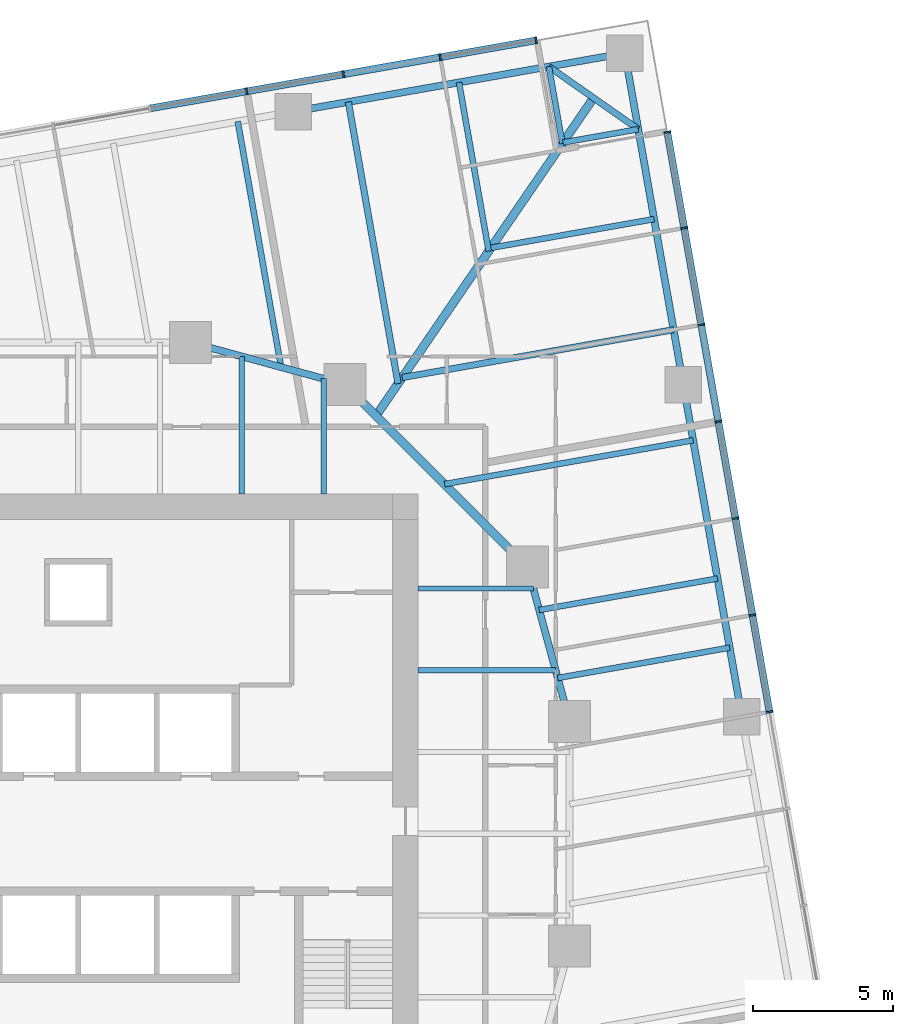
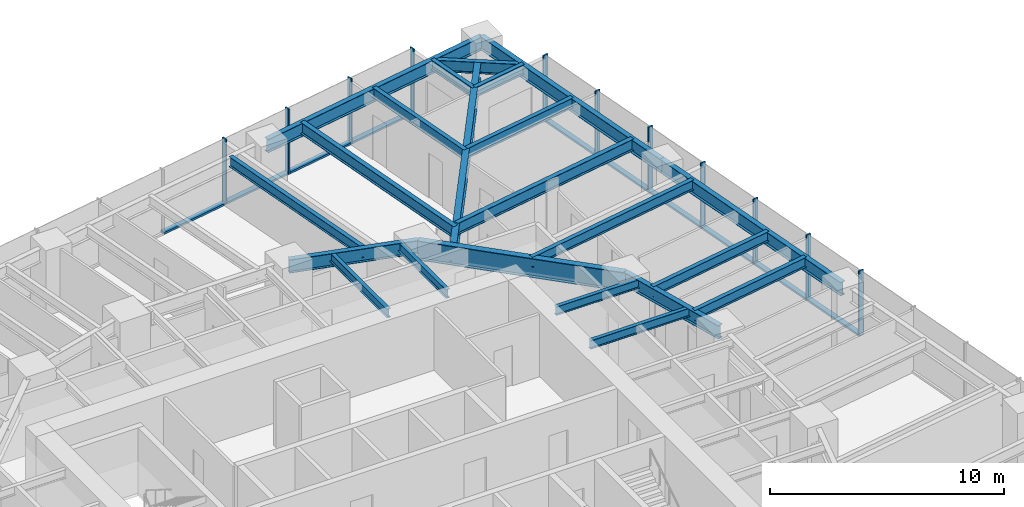
# One storey, part 6 of 14: 22 beams, 21 members, 2 elements without a shape of their own.
"""IFC4 building model written with IfcOpenShell, lengths in metres."""

from ifc_helpers import new_model, si_unit, direction, frame, origin, origin_2d, place, context, subcontext, project, spatial, rectangle, i_section, extrude, material, material_profile, profile_set, type_object, element, aggregate, save


model = new_model("IFC4")

# Units and contexts
model_context = context("Model", 3, precision=1e-05, world=origin(), true_north=direction((0.0, 1.0)))
body_context = subcontext(model_context, "Body", "Model", "MODEL_VIEW")
ifc_project = project(units=[si_unit("LENGTHUNIT", "METRE"), si_unit("AREAUNIT", "SQUARE_METRE"), si_unit("VOLUMEUNIT", "CUBIC_METRE"), si_unit("PLANEANGLEUNIT", "RADIAN"), si_unit("MASSUNIT", "GRAM", prefix="KILO")], contexts=[model_context])

# Site, building, storey
site_placement = place(None, origin())
site = spatial("IfcSite", under=ifc_project, at=site_placement, CompositionType="ELEMENT")
building_placement = place(site_placement, origin())
building = spatial("IfcBuilding", under=site, at=building_placement, Name="Torsade Residences", CompositionType="ELEMENT")
storey_placement = place(building_placement, frame((0.0, 0.0, 86.199951171875)))
storey = spatial("IfcBuildingStorey", under=building, at=storey_placement, Name="L23", CompositionType="ELEMENT", Elevation=86.199951171875)

# Beams
ifc_material_1 = material(Name="Steel grade 300", Category="steel")
ifc_material_profile_1 = material_profile(ifc_material_1, i_section(OverallWidth=0.300048828125, OverallDepth=0.89990234375, WebThickness=0.011962890625, FlangeThickness=0.02490234375, at=origin_2d()), Name="900WB175")
ifc_profile_set_1 = profile_set([ifc_material_profile_1], Name="Steel grade 300")
beam_type_1 = type_object("IfcBeamType", Name="CORNER GIRDER 900WB175", PredefinedType="BEAM", material=ifc_profile_set_1)
beam_1_placement = place(storey_placement, frame((58.3525390625, 56.2099609375, 2.800048828125), z_axis=(-0.564724759437, -0.825279313977, 0.0), x_axis=(0.825279313977, -0.564724759437, 0.0)))
element("IfcBeam", 1, at=beam_1_placement, inside=storey, type_object=beam_type_1, Name="Corner girder 09 L24", PredefinedType="BEAM", context=body_context, shape_type="SweptSolid", body=[
    extrude(i_section(OverallWidth=0.300048828125, OverallDepth=0.89990234375, WebThickness=0.011962890625, FlangeThickness=0.02490234375, at=origin_2d()), origin(), (0.0, 0.0, 1.0), 13.7138671875),
])
ifc_material_2 = material(Name="Steel grade 300", Category="steel")
ifc_material_profile_2 = material_profile(ifc_material_2, i_section(OverallWidth=0.22802734375, OverallDepth=0.60205078125, WebThickness=0.010498046875, FlangeThickness=0.014892578125, FilletRadius=0.013916015625, at=origin_2d()), Name="610UB101")
ifc_profile_set_2 = profile_set([ifc_material_profile_2], Name="Steel grade 300")
beam_type_2 = type_object("IfcBeamType", Name="CORNER TRIMMER 610UB101", PredefinedType="BEAM", material=ifc_profile_set_2)
beam_2_placement = place(storey_placement, frame((56.759521484375, 57.325439453125, 2.948974609375), z_axis=(0.819152285145, -0.573576092373, 0.0), x_axis=(0.573576092373, 0.819152285145, 0.0)))
element("IfcBeam", 2, at=beam_2_placement, inside=storey, type_object=beam_type_2, Name="Corner trimmer 09 L24", PredefinedType="BEAM", context=body_context, shape_type="SweptSolid", body=[
    extrude(i_section(OverallWidth=0.22802734375, OverallDepth=0.60205078125, WebThickness=0.010498046875, FlangeThickness=0.014892578125, FilletRadius=0.013916015625, at=origin_2d()), origin(), (0.0, 0.0, 1.0), 3.88916015625),
])

# Curtain wall, members
ifc_material_3 = material(Name="Aluminium and glass", Category="aluminium")
curtain_wall_type = type_object("IfcCurtainWallType", Name="FRITTED GLASS CURTAIN WALL LOW ZONE", PredefinedType="NOTDEFINED", material=ifc_material_3)
curtain_wall_1_placement = place(storey_placement, origin())
curtain_wall_1 = element("IfcCurtainWall", 3, at=curtain_wall_1_placement, inside=storey, type_object=curtain_wall_type, Name="Curtain wall L23 face 4", PredefinedType="NOTDEFINED")
ifc_material_4 = material(Name="Aluminium mullion", Category="aluminium")
ifc_material_profile_3 = material_profile(ifc_material_4, rectangle(XDim=0.25, YDim=0.06494140625, at=origin_2d()), Name="CURTAIN WALL MULLION 250x65")
ifc_profile_set_3 = profile_set([ifc_material_profile_3], Name="Aluminium mullion")
member_type_1 = type_object("IfcMemberType", Name="CURTAIN WALL MULLION 250x65", PredefinedType="MULLION", material=ifc_profile_set_3)
member_1_placement = place(storey_placement, frame((64.6201171875, 34.34130859375, 0.0), z_axis=(0.0, 0.0, 1.0), x_axis=(-0.984807750372, -0.173648192638, 0.0)))
member_1 = element("IfcMember", 4, at=member_1_placement, type_object=member_type_1, Name="Mullion 7", PredefinedType="MULLION", context=body_context, shape_type="SweptSolid", body=[
    extrude(rectangle(XDim=0.25, YDim=0.06494140625, at=origin_2d()), origin(), (0.0, 0.0, 1.0), 3.400146484375),
])
member_2_placement = place(storey_placement, frame((64.012451171875, 37.7880859375, 0.0), z_axis=(0.0, 0.0, 1.0), x_axis=(-0.984807750372, -0.173648192638, 0.0)))
member_2 = element("IfcMember", 5, at=member_2_placement, type_object=member_type_1, Name="Mullion 8", PredefinedType="MULLION", context=body_context, shape_type="SweptSolid", body=[
    extrude(rectangle(XDim=0.25, YDim=0.06494140625, at=origin_2d()), origin(), (0.0, 0.0, 1.0), 3.400146484375),
])
member_3_placement = place(storey_placement, frame((63.404541015625, 41.23486328125, 0.0), z_axis=(0.0, 0.0, 1.0), x_axis=(-0.984807750372, -0.173648192638, 0.0)))
member_3 = element("IfcMember", 6, at=member_3_placement, type_object=member_type_1, Name="Mullion 9", PredefinedType="MULLION", context=body_context, shape_type="SweptSolid", body=[
    extrude(rectangle(XDim=0.25, YDim=0.06494140625, at=origin_2d()), origin(), (0.0, 0.0, 1.0), 3.400146484375),
])
member_4_placement = place(storey_placement, frame((62.796875, 44.681640625, 0.0), z_axis=(0.0, 0.0, 1.0), x_axis=(-0.984807750372, -0.173648192638, 0.0)))
member_4 = element("IfcMember", 7, at=member_4_placement, type_object=member_type_1, Name="Mullion 10", PredefinedType="MULLION", context=body_context, shape_type="SweptSolid", body=[
    extrude(rectangle(XDim=0.25, YDim=0.06494140625, at=origin_2d()), origin(), (0.0, 0.0, 1.0), 3.400146484375),
])
member_5_placement = place(storey_placement, frame((62.189208984375, 48.12841796875, 0.0), z_axis=(0.0, 0.0, 1.0), x_axis=(-0.984807750372, -0.173648192638, 0.0)))
member_5 = element("IfcMember", 8, at=member_5_placement, type_object=member_type_1, Name="Mullion 11", PredefinedType="MULLION", context=body_context, shape_type="SweptSolid", body=[
    extrude(rectangle(XDim=0.25, YDim=0.06494140625, at=origin_2d()), origin(), (0.0, 0.0, 1.0), 3.400146484375),
])
member_6_placement = place(storey_placement, frame((61.581298828125, 51.575439453125, 0.0), z_axis=(0.0, 0.0, 1.0), x_axis=(-0.984807750372, -0.173648192638, 0.0)))
member_6 = element("IfcMember", 9, at=member_6_placement, type_object=member_type_1, Name="Mullion 12", PredefinedType="MULLION", context=body_context, shape_type="SweptSolid", body=[
    extrude(rectangle(XDim=0.25, YDim=0.06494140625, at=origin_2d()), origin(), (0.0, 0.0, 1.0), 3.400146484375),
])
member_7_placement = place(storey_placement, frame((60.979248046875, 54.990234375, 0.0), z_axis=(0.0, 0.0, 1.0), x_axis=(-0.984807750372, -0.173648192638, 0.0)))
member_7 = element("IfcMember", 10, at=member_7_placement, type_object=member_type_1, Name="Mullion 13", PredefinedType="MULLION", context=body_context, shape_type="SweptSolid", body=[
    extrude(rectangle(XDim=0.25, YDim=0.06494140625, at=origin_2d()), origin(), (0.0, 0.0, 1.0), 3.400146484375),
])

curtain_wall_2_placement = place(storey_placement, origin())
curtain_wall_2 = element("IfcCurtainWall", 11, at=curtain_wall_2_placement, inside=storey, type_object=curtain_wall_type, Name="Curtain wall L23 face 7", PredefinedType="NOTDEFINED")
member_8_placement = place(storey_placement, frame((56.307861328125, 58.26123046875, 0.0), z_axis=(0.0, 0.0, 1.0), x_axis=(0.173648192638, -0.984807750372, 0.0)))
member_8 = element("IfcMember", 12, at=member_8_placement, type_object=member_type_1, Name="Mullion 1", PredefinedType="MULLION", context=body_context, shape_type="SweptSolid", body=[
    extrude(rectangle(XDim=0.25, YDim=0.06494140625, at=origin_2d()), origin(), (0.0, 0.0, 1.0), 3.400146484375),
])
member_9_placement = place(storey_placement, frame((52.892822265625, 57.658935546875, 0.0), z_axis=(0.0, 0.0, 1.0), x_axis=(0.173648192638, -0.984807750372, 0.0)))
member_9 = element("IfcMember", 13, at=member_9_placement, type_object=member_type_1, Name="Mullion 2", PredefinedType="MULLION", context=body_context, shape_type="SweptSolid", body=[
    extrude(rectangle(XDim=0.25, YDim=0.06494140625, at=origin_2d()), origin(), (0.0, 0.0, 1.0), 3.400146484375),
])
member_10_placement = place(storey_placement, frame((49.446044921875, 57.05126953125, 0.0), z_axis=(0.0, 0.0, 1.0), x_axis=(0.173648192638, -0.984807750372, 0.0)))
member_10 = element("IfcMember", 14, at=member_10_placement, type_object=member_type_1, Name="Mullion 3", PredefinedType="MULLION", context=body_context, shape_type="SweptSolid", body=[
    extrude(rectangle(XDim=0.25, YDim=0.06494140625, at=origin_2d()), origin(), (0.0, 0.0, 1.0), 3.400146484375),
])
member_11_placement = place(storey_placement, frame((45.999267578125, 56.443603515625, 0.0), z_axis=(0.0, 0.0, 1.0), x_axis=(0.173648192638, -0.984807750372, 0.0)))
member_11 = element("IfcMember", 15, at=member_11_placement, type_object=member_type_1, Name="Mullion 4", PredefinedType="MULLION", context=body_context, shape_type="SweptSolid", body=[
    extrude(rectangle(XDim=0.25, YDim=0.06494140625, at=origin_2d()), origin(), (0.0, 0.0, 1.0), 3.400146484375),
])

# Member
ifc_material_5 = material(Name="Aluminium transom", Category="aluminium")
ifc_material_profile_4 = material_profile(ifc_material_5, rectangle(XDim=0.25, YDim=0.10009765625, at=origin_2d()), Name="CURTAIN WALL TRANSOM 250x100")
ifc_profile_set_4 = profile_set([ifc_material_profile_4], Name="Aluminium transom")
member_type_2 = type_object("IfcMemberType", Name="CURTAIN WALL TRANSOM 250x100", PredefinedType="USERDEFINED", material=ifc_profile_set_4)
member_12_placement = place(storey_placement, frame((64.614501953125, 34.373291015625, 0.050048828125), z_axis=(-0.17363531196, 0.984810021497, 0.0), x_axis=(-0.984810021497, -0.17363531196, 0.0)))
member_12 = element("IfcMember", 16, at=member_12_placement, type_object=member_type_2, Name="Transom 7.1", ObjectType="TRANSOM", PredefinedType="USERDEFINED", context=body_context, shape_type="SweptSolid", body=[
    extrude(rectangle(XDim=0.25, YDim=0.10009765625, at=origin_2d()), origin(), (0.0, 0.0, 1.0), 3.43505859375),
])

member_13_placement = place(storey_placement, frame((64.0068359375, 37.820068359375, 0.050048828125), z_axis=(-0.17363531196, 0.984810021497, 0.0), x_axis=(-0.984810021497, -0.17363531196, 0.0)))
member_13 = element("IfcMember", 17, at=member_13_placement, type_object=member_type_2, Name="Transom 8.1", ObjectType="TRANSOM", PredefinedType="USERDEFINED", context=body_context, shape_type="SweptSolid", body=[
    extrude(rectangle(XDim=0.25, YDim=0.10009765625, at=origin_2d()), origin(), (0.0, 0.0, 1.0), 3.43505859375),
])

member_14_placement = place(storey_placement, frame((63.39892578125, 41.266845703125, 0.050048828125), z_axis=(-0.17363531196, 0.984810021497, 0.0), x_axis=(-0.984810021497, -0.17363531196, 0.0)))
member_14 = element("IfcMember", 18, at=member_14_placement, type_object=member_type_2, Name="Transom 9.1", ObjectType="TRANSOM", PredefinedType="USERDEFINED", context=body_context, shape_type="SweptSolid", body=[
    extrude(rectangle(XDim=0.25, YDim=0.10009765625, at=origin_2d()), origin(), (0.0, 0.0, 1.0), 3.43505859375),
])

member_15_placement = place(storey_placement, frame((62.791259765625, 44.713623046875, 0.050048828125), z_axis=(-0.17363531196, 0.984810021497, 0.0), x_axis=(-0.984810021497, -0.17363531196, 0.0)))
member_15 = element("IfcMember", 19, at=member_15_placement, type_object=member_type_2, Name="Transom 10.1", ObjectType="TRANSOM", PredefinedType="USERDEFINED", context=body_context, shape_type="SweptSolid", body=[
    extrude(rectangle(XDim=0.25, YDim=0.10009765625, at=origin_2d()), origin(), (0.0, 0.0, 1.0), 3.43505859375),
])

member_16_placement = place(storey_placement, frame((62.18359375, 48.160400390625, 0.050048828125), z_axis=(-0.173704242465, 0.98479786563, 0.0), x_axis=(-0.98479786563, -0.173704242465, 0.0)))
member_16 = element("IfcMember", 20, at=member_16_placement, type_object=member_type_2, Name="Transom 11.1", ObjectType="TRANSOM", PredefinedType="USERDEFINED", context=body_context, shape_type="SweptSolid", body=[
    extrude(rectangle(XDim=0.25, YDim=0.10009765625, at=origin_2d()), origin(), (0.0, 0.0, 1.0), 3.43505859375),
])

member_17_placement = place(storey_placement, frame((61.57568359375, 51.607421875, 0.050048828125), z_axis=(-0.173642067011, 0.984808830466, 0.0), x_axis=(-0.984808830466, -0.173642067011, 0.0)))
member_17 = element("IfcMember", 21, at=member_17_placement, type_object=member_type_2, Name="Transom 12.1", ObjectType="TRANSOM", PredefinedType="USERDEFINED", context=body_context, shape_type="SweptSolid", body=[
    extrude(rectangle(XDim=0.25, YDim=0.10009765625, at=origin_2d()), origin(), (0.0, 0.0, 1.0), 3.402587890625),
])

aggregate(curtain_wall_1, [member_1, member_2, member_3, member_4, member_5, member_6, member_7, member_12, member_13, member_14, member_15, member_16, member_17])

member_18_placement = place(storey_placement, frame((56.275634765625, 58.255615234375, 0.050048828125), z_axis=(-0.984806666774, -0.173654337918, 0.0), x_axis=(0.173654337918, -0.984806666774, 0.0)))
member_18 = element("IfcMember", 22, at=member_18_placement, type_object=member_type_2, Name="Transom 1.1", ObjectType="TRANSOM", PredefinedType="USERDEFINED", context=body_context, shape_type="SweptSolid", body=[
    extrude(rectangle(XDim=0.25, YDim=0.10009765625, at=origin_2d()), origin(), (0.0, 0.0, 1.0), 3.40234375),
])

member_19_placement = place(storey_placement, frame((52.86083984375, 57.6533203125, 0.050048828125), z_axis=(-0.984810021497, -0.17363531196, 0.0), x_axis=(0.17363531196, -0.984810021497, 0.0)))
member_19 = element("IfcMember", 23, at=member_19_placement, type_object=member_type_2, Name="Transom 2.1", ObjectType="TRANSOM", PredefinedType="USERDEFINED", context=body_context, shape_type="SweptSolid", body=[
    extrude(rectangle(XDim=0.25, YDim=0.10009765625, at=origin_2d()), origin(), (0.0, 0.0, 1.0), 3.43505859375),
])

member_20_placement = place(storey_placement, frame((49.4140625, 57.045654296875, 0.050048828125), z_axis=(-0.984810021497, -0.17363531196, 0.0), x_axis=(0.17363531196, -0.984810021497, 0.0)))
member_20 = element("IfcMember", 24, at=member_20_placement, type_object=member_type_2, Name="Transom 3.1", ObjectType="TRANSOM", PredefinedType="USERDEFINED", context=body_context, shape_type="SweptSolid", body=[
    extrude(rectangle(XDim=0.25, YDim=0.10009765625, at=origin_2d()), origin(), (0.0, 0.0, 1.0), 3.43505859375),
])

member_21_placement = place(storey_placement, frame((45.96728515625, 56.437744140625, 0.050048828125), z_axis=(-0.984810021497, -0.17363531196, 0.0), x_axis=(0.17363531196, -0.984810021497, 0.0)))
member_21 = element("IfcMember", 25, at=member_21_placement, type_object=member_type_2, Name="Transom 4.1", ObjectType="TRANSOM", PredefinedType="USERDEFINED", context=body_context, shape_type="SweptSolid", body=[
    extrude(rectangle(XDim=0.25, YDim=0.10009765625, at=origin_2d()), origin(), (0.0, 0.0, 1.0), 3.43505859375),
])

aggregate(curtain_wall_2, [member_8, member_9, member_10, member_11, member_18, member_19, member_20, member_21])

# Beams
ifc_material_6 = material(Name="Steel grade 300", Category="steel")
ifc_material_profile_5 = material_profile(ifc_material_6, i_section(OverallWidth=0.25, OverallDepth=0.699951171875, WebThickness=0.010009765625, FlangeThickness=0.02001953125, at=origin_2d()), Name="700WB130")
ifc_profile_set_5 = profile_set([ifc_material_profile_5], Name="Steel grade 300")
beam_type_3 = type_object("IfcBeamType", Name="EDGE BEAM 700WB130", PredefinedType="SPANDREL", material=ifc_profile_set_5)
beam_3_placement = place(storey_placement, frame((63.635498046875, 34.16748046875, 2.900146484375), z_axis=(-0.173662308598, 0.984805261243, 0.0), x_axis=(-0.984805261243, -0.173662308598, 0.0)))
element("IfcBeam", 26, at=beam_3_placement, inside=storey, type_object=beam_type_3, Name="Edge beam 07 L24", PredefinedType="SPANDREL", context=body_context, shape_type="SweptSolid", body=[
    extrude(i_section(OverallWidth=0.25, OverallDepth=0.699951171875, WebThickness=0.010009765625, FlangeThickness=0.02001953125, at=origin_2d()), origin(), (0.0, 0.0, 1.0), 12.000244140625),
])
for number, where, z_axis, x_axis, name in (
    (27, (61.551513671875, 45.9853515625, 2.900146484375), (-0.173646056486, 0.984808127031, 0.0), (-0.984808127031, -0.173646056486, 0.0), "Edge beam 08 L24"),
    (28, (59.4677734375, 57.802978515625, 2.900146484375), (-0.984808127031, -0.173646056486, 0.0), (0.173646056486, -0.984808127031, 0.0), "Edge beam 09 L24"),
):
    element("IfcBeam", number, at=place(storey_placement, frame(where, z_axis=z_axis, x_axis=x_axis)), inside=storey, type_object=beam_type_3, Name=name, PredefinedType="SPANDREL", context=body_context, shape_type="SweptSolid", body=[
        extrude(i_section(OverallWidth=0.25, OverallDepth=0.699951171875, WebThickness=0.010009765625, FlangeThickness=0.02001953125, at=origin_2d()), origin(), (0.0, 0.0, 1.0), 12.0),
    ])
ifc_material_7 = material(Name="Steel grade 300", Category="steel")
ifc_material_profile_6 = material_profile(ifc_material_7, i_section(OverallWidth=0.18994140625, OverallDepth=0.4541015625, WebThickness=0.008544921875, FlangeThickness=0.0126953125, FilletRadius=0.011474609375, at=origin_2d()), Name="460UB67.1")
ifc_profile_set_6 = profile_set([ifc_material_profile_6], Name="Steel grade 300")
beam_type_4 = type_object("IfcBeamType", Name="INNER FLOOR BEAM 460UB67.1", PredefinedType="JOIST", material=ifc_profile_set_6)
beam_4_placement = place(storey_placement, frame((45.824951171875, 42.10009765625, 3.02294921875), z_axis=(0.0, 1.0, 0.0), x_axis=(-1.0, 0.0, 0.0)))
element("IfcBeam", 29, at=beam_4_placement, inside=storey, type_object=beam_type_4, Name="Inner floor beam IN06 L24", PredefinedType="JOIST", context=body_context, shape_type="SweptSolid", body=[
    extrude(i_section(OverallWidth=0.18994140625, OverallDepth=0.4541015625, WebThickness=0.008544921875, FlangeThickness=0.0126953125, FilletRadius=0.011474609375, at=origin_2d()), origin(), (0.0, 0.0, 1.0), 4.902099609375),
])
beam_5_placement = place(storey_placement, frame((48.737548828125, 42.10009765625, 3.02294921875), z_axis=(0.0, 1.0, 0.0), x_axis=(-1.0, 0.0, 0.0)))
element("IfcBeam", 30, at=beam_5_placement, inside=storey, type_object=beam_type_4, Name="Inner floor beam IN07 L24", PredefinedType="JOIST", context=body_context, shape_type="SweptSolid", body=[
    extrude(i_section(OverallWidth=0.18994140625, OverallDepth=0.4541015625, WebThickness=0.008544921875, FlangeThickness=0.0126953125, FilletRadius=0.011474609375, at=origin_2d()), origin(), (0.0, 0.0, 1.0), 4.10791015625),
])
beam_6_placement = place(storey_placement, frame((52.10009765625, 35.824951171875, 3.02294921875), z_axis=(1.0, 0.0, 0.0), x_axis=(0.0, 1.0, 0.0)))
element("IfcBeam", 31, at=beam_6_placement, inside=storey, type_object=beam_type_4, Name="Inner floor beam IE06 L24", PredefinedType="JOIST", context=body_context, shape_type="SweptSolid", body=[
    extrude(i_section(OverallWidth=0.18994140625, OverallDepth=0.4541015625, WebThickness=0.008544921875, FlangeThickness=0.0126953125, FilletRadius=0.011474609375, at=origin_2d()), origin(), (0.0, 0.0, 1.0), 4.902099609375),
])
beam_7_placement = place(storey_placement, frame((52.10009765625, 38.737548828125, 3.02294921875), z_axis=(1.0, 0.0, 0.0), x_axis=(0.0, 1.0, 0.0)))
element("IfcBeam", 32, at=beam_7_placement, inside=storey, type_object=beam_type_4, Name="Inner floor beam IE07 L24", PredefinedType="JOIST", context=body_context, shape_type="SweptSolid", body=[
    extrude(i_section(OverallWidth=0.18994140625, OverallDepth=0.4541015625, WebThickness=0.008544921875, FlangeThickness=0.0126953125, FilletRadius=0.011474609375, at=origin_2d()), origin(), (0.0, 0.0, 1.0), 4.10791015625),
])
ifc_material_8 = material(Name="Steel grade 300", Category="steel")
ifc_material_profile_7 = material_profile(ifc_material_8, i_section(OverallWidth=0.300048828125, OverallDepth=1.0, WebThickness=0.01611328125, FlangeThickness=0.028076171875, at=origin_2d()), Name="1000WB215")
ifc_profile_set_7 = profile_set([ifc_material_profile_7], Name="Steel grade 300")
beam_type_5 = type_object("IfcBeamType", Name="RING CORNER GIRDER 1000WB215", PredefinedType="BEAM", material=ifc_profile_set_7)
beam_8_placement = place(storey_placement, frame((56.0, 39.5, 2.75), z_axis=(-0.707106781187, 0.707106781187, 0.0), x_axis=(-0.707106781187, -0.707106781187, 0.0)))
element("IfcBeam", 33, at=beam_8_placement, inside=storey, type_object=beam_type_5, Name="Ring girder IR03 L24", PredefinedType="BEAM", context=body_context, shape_type="SweptSolid", body=[
    extrude(i_section(OverallWidth=0.300048828125, OverallDepth=1.0, WebThickness=0.01611328125, FlangeThickness=0.028076171875, at=origin_2d()), origin(), (0.0, 0.0, 1.0), 9.1923828125),
])
ifc_material_9 = material(Name="Steel grade 300", Category="steel")
ifc_material_profile_8 = material_profile(ifc_material_9, i_section(OverallWidth=0.25, OverallDepth=0.699951171875, WebThickness=0.010009765625, FlangeThickness=0.02001953125, at=origin_2d()), Name="700WB130")
ifc_profile_set_8 = profile_set([ifc_material_profile_8], Name="Steel grade 300")
beam_type_6 = type_object("IfcBeamType", Name="RING GIRDER 700WB130", PredefinedType="BEAM", material=ifc_profile_set_8)
for number, where, z_axis, x_axis, name in (
    (34, (57.5, 34.0, 2.900146484375), (-0.263117405792, 0.964763821238, 0.0), (-0.964763821238, -0.263117405792, 0.0), "Ring girder IR02 L24"),
    (35, (49.5, 46.0, 2.900146484375), (-0.964763821238, 0.263117405792, 0.0), (-0.263117405792, -0.964763821238, 0.0), "Ring girder IR04 L24"),
):
    element("IfcBeam", number, at=place(storey_placement, frame(where, z_axis=z_axis, x_axis=x_axis)), inside=storey, type_object=beam_type_6, Name=name, PredefinedType="BEAM", context=body_context, shape_type="SweptSolid", body=[
        extrude(i_section(OverallWidth=0.25, OverallDepth=0.699951171875, WebThickness=0.010009765625, FlangeThickness=0.02001953125, at=origin_2d()), origin(), (0.0, 0.0, 1.0), 5.700927734375),
    ])
ifc_material_10 = material(Name="Steel grade 300", Category="steel")
ifc_material_profile_9 = material_profile(ifc_material_10, i_section(OverallWidth=0.208984375, OverallDepth=0.528076171875, WebThickness=0.009521484375, FlangeThickness=0.01318359375, FilletRadius=0.013916015625, at=origin_2d()), Name="530UB82.0")
ifc_profile_set_9 = profile_set([ifc_material_profile_9], Name="Steel grade 300")
beam_type_7 = type_object("IfcBeamType", Name="SECONDARY BEAM 530UB82.0", PredefinedType="JOIST", material=ifc_profile_set_9)
beam_9_placement = place(storey_placement, frame((63.201171875, 36.629638671875, 2.986083984375), z_axis=(-0.984806474989, -0.173655425542, 0.0), x_axis=(0.173655425542, -0.984806474989, 0.0)))
element("IfcBeam", 36, at=beam_9_placement, inside=storey, type_object=beam_type_7, Name="Floor beam FE07 L24", PredefinedType="JOIST", context=body_context, shape_type="SweptSolid", body=[
    extrude(i_section(OverallWidth=0.208984375, OverallDepth=0.528076171875, WebThickness=0.009521484375, FlangeThickness=0.01318359375, FilletRadius=0.013916015625, at=origin_2d()), origin(), (0.0, 0.0, 1.0), 6.21826171875),
])
beam_10_placement = place(storey_placement, frame((62.76708984375, 39.091552734375, 2.986083984375), z_axis=(-0.984810608823, -0.17363198078, 0.0), x_axis=(0.17363198078, -0.984810608823, 0.0)))
element("IfcBeam", 37, at=beam_10_placement, inside=storey, type_object=beam_type_7, Name="Floor beam FE08 L24", PredefinedType="JOIST", context=body_context, shape_type="SweptSolid", body=[
    extrude(i_section(OverallWidth=0.208984375, OverallDepth=0.528076171875, WebThickness=0.009521484375, FlangeThickness=0.01318359375, FilletRadius=0.013916015625, at=origin_2d()), origin(), (0.0, 0.0, 1.0), 6.4482421875),
])
beam_11_placement = place(storey_placement, frame((61.89892578125, 44.015625, 2.986083984375), z_axis=(-0.984809246638, -0.173639706679, 0.0), x_axis=(0.173639706679, -0.984809246638, 0.0)))
element("IfcBeam", 38, at=beam_11_placement, inside=storey, type_object=beam_type_7, Name="Floor beam FE09 L24", PredefinedType="JOIST", context=body_context, shape_type="SweptSolid", body=[
    extrude(i_section(OverallWidth=0.208984375, OverallDepth=0.528076171875, WebThickness=0.009521484375, FlangeThickness=0.01318359375, FilletRadius=0.013916015625, at=origin_2d()), origin(), (0.0, 0.0, 1.0), 8.989990234375),
])
beam_12_placement = place(storey_placement, frame((60.509765625, 51.89404296875, 2.986083984375), z_axis=(-0.984811033899, -0.173629569808, 0.0), x_axis=(0.173629569808, -0.984811033899, 0.0)))
element("IfcBeam", 39, at=beam_12_placement, inside=storey, type_object=beam_type_7, Name="Floor beam FE11 L24", PredefinedType="JOIST", context=body_context, shape_type="SweptSolid", body=[
    extrude(i_section(OverallWidth=0.208984375, OverallDepth=0.528076171875, WebThickness=0.009521484375, FlangeThickness=0.01318359375, FilletRadius=0.013916015625, at=origin_2d()), origin(), (0.0, 0.0, 1.0), 5.9013671875),
])
beam_13_placement = place(storey_placement, frame((59.9453125, 55.0947265625, 2.986083984375), z_axis=(-0.984807941563, -0.17364710834, 0.0), x_axis=(0.17364710834, -0.984807941563, 0.0)))
element("IfcBeam", 40, at=beam_13_placement, inside=storey, type_object=beam_type_7, Name="Floor beam FE12 L24", PredefinedType="JOIST", context=body_context, shape_type="SweptSolid", body=[
    extrude(i_section(OverallWidth=0.208984375, OverallDepth=0.528076171875, WebThickness=0.009521484375, FlangeThickness=0.01318359375, FilletRadius=0.013916015625, at=origin_2d()), origin(), (0.0, 0.0, 1.0), 2.720458984375),
])
beam_14_placement = place(storey_placement, frame((56.759521484375, 57.325439453125, 2.986083984375), z_axis=(0.173705176765, -0.984797700832, 0.0), x_axis=(0.984797700832, 0.173705176765, 0.0)))
element("IfcBeam", 41, at=beam_14_placement, inside=storey, type_object=beam_type_7, Name="Floor beam FN01 L24", PredefinedType="JOIST", context=body_context, shape_type="SweptSolid", body=[
    extrude(i_section(OverallWidth=0.208984375, OverallDepth=0.528076171875, WebThickness=0.009521484375, FlangeThickness=0.01318359375, FilletRadius=0.013916015625, at=origin_2d()), origin(), (0.0, 0.0, 1.0), 2.780029296875),
])
beam_15_placement = place(storey_placement, frame((53.55908203125, 56.760986328125, 2.986083984375), z_axis=(0.173639225065, -0.984809331556, 0.0), x_axis=(0.984809331556, 0.173639225065, 0.0)))
element("IfcBeam", 42, at=beam_15_placement, inside=storey, type_object=beam_type_7, Name="Floor beam FN02 L24", PredefinedType="JOIST", context=body_context, shape_type="SweptSolid", body=[
    extrude(i_section(OverallWidth=0.208984375, OverallDepth=0.528076171875, WebThickness=0.009521484375, FlangeThickness=0.01318359375, FilletRadius=0.013916015625, at=origin_2d()), origin(), (0.0, 0.0, 1.0), 6.100830078125),
])
beam_16_placement = place(storey_placement, frame((45.680419921875, 55.371826171875, 2.986083984375), z_axis=(0.173667781384, -0.984804296147, 0.0), x_axis=(0.984804296147, 0.173667781384, 0.0)))
element("IfcBeam", 43, at=beam_16_placement, inside=storey, type_object=beam_type_7, Name="Floor beam FN04 L24", PredefinedType="JOIST", context=body_context, shape_type="SweptSolid", body=[
    extrude(i_section(OverallWidth=0.208984375, OverallDepth=0.528076171875, WebThickness=0.009521484375, FlangeThickness=0.01318359375, FilletRadius=0.013916015625, at=origin_2d()), origin(), (0.0, 0.0, 1.0), 8.885986328125),
])
ifc_material_11 = material(Name="Steel grade 300", Category="steel")
ifc_material_profile_10 = material_profile(ifc_material_11, i_section(OverallWidth=0.22900390625, OverallDepth=0.612060546875, WebThickness=0.011962890625, FlangeThickness=0.01953125, FilletRadius=0.013916015625, at=origin_2d()), Name="610UB125")
ifc_profile_set_10 = profile_set([ifc_material_profile_10], Name="Steel grade 300")
beam_type_8 = type_object("IfcBeamType", Name="SECONDARY BEAM 610UB125", PredefinedType="JOIST", material=ifc_profile_set_10)
beam_17_placement = place(storey_placement, frame((61.204345703125, 47.954833984375, 2.944091796875), z_axis=(-0.984807085789, -0.173651961637, 0.0), x_axis=(0.173651961637, -0.984807085789, 0.0)))
element("IfcBeam", 44, at=beam_17_placement, inside=storey, type_object=beam_type_8, Name="Floor beam FE10 L24", PredefinedType="JOIST", context=body_context, shape_type="SweptSolid", body=[
    extrude(i_section(OverallWidth=0.22900390625, OverallDepth=0.612060546875, WebThickness=0.011962890625, FlangeThickness=0.01953125, FilletRadius=0.013916015625, at=origin_2d()), origin(), (0.0, 0.0, 1.0), 9.816162109375),
])
beam_18_placement = place(storey_placement, frame((49.619873046875, 56.06640625, 2.944091796875), z_axis=(0.173644522411, -0.984808397525, 0.0), x_axis=(0.984808397525, 0.173644522411, 0.0)))
element("IfcBeam", 45, at=beam_18_placement, inside=storey, type_object=beam_type_8, Name="Floor beam FN03 L24", PredefinedType="JOIST", context=body_context, shape_type="SweptSolid", body=[
    extrude(i_section(OverallWidth=0.22900390625, OverallDepth=0.612060546875, WebThickness=0.011962890625, FlangeThickness=0.01953125, FilletRadius=0.013916015625, at=origin_2d()), origin(), (0.0, 0.0, 1.0), 10.187744140625),
])

save(model, "model.ifc")
